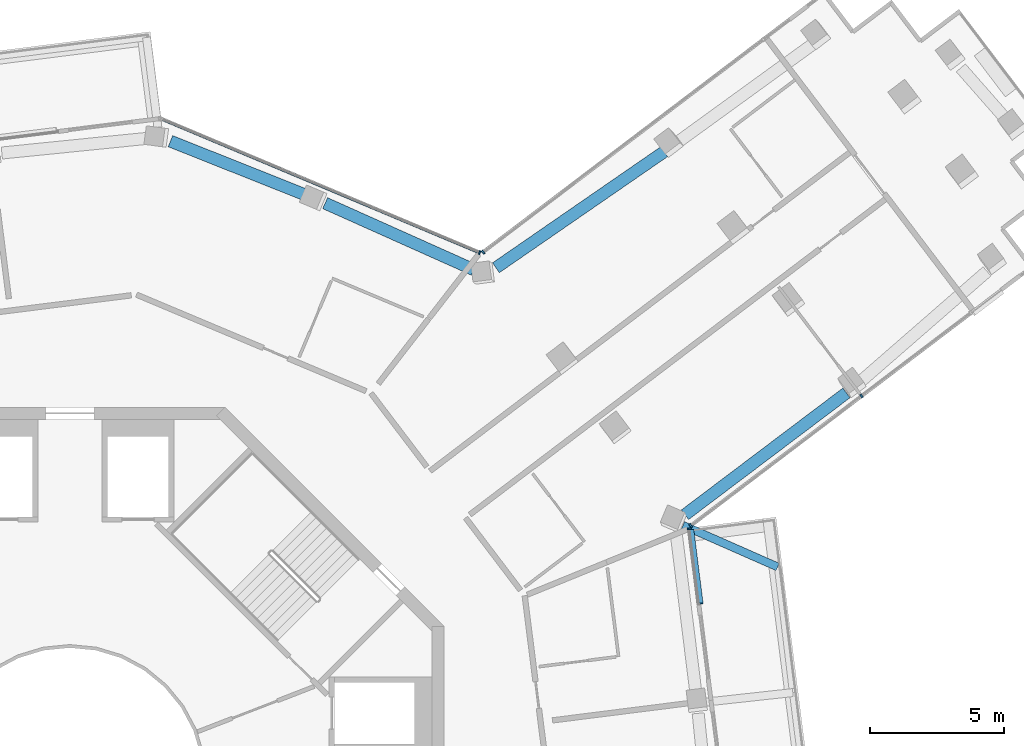
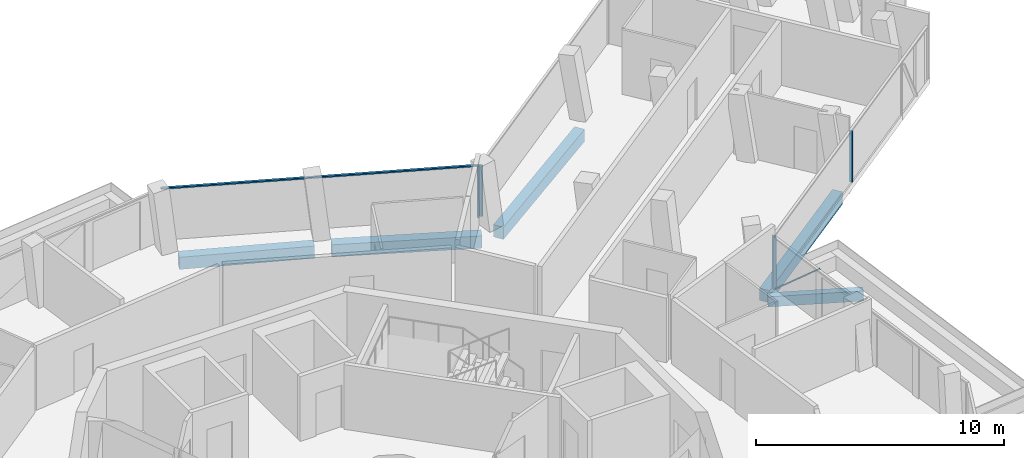
# One storey, part 8 of 26: 7 members, 5 beams, 4 elements without a shape of their own.
"""IFC4 building model written with IfcOpenShell, lengths in metres."""

from ifc_helpers import new_model, si_unit, direction, frame, origin, origin_2d, place, context, subcontext, project, spatial, rectangle, extrude, material, layer, layer_set, material_profile, profile_set, type_object, element, aggregate, save


model = new_model("IFC4")

# Units and contexts
model_context = context("Model", 3, precision=1e-05, world=origin(), true_north=direction((0.0, 1.0)))
body_context = subcontext(model_context, "Body", "Model", "MODEL_VIEW")
ifc_project = project(units=[si_unit("LENGTHUNIT", "METRE"), si_unit("AREAUNIT", "SQUARE_METRE"), si_unit("VOLUMEUNIT", "CUBIC_METRE"), si_unit("PLANEANGLEUNIT", "RADIAN"), si_unit("MASSUNIT", "GRAM", prefix="KILO")], contexts=[model_context])

# Site, building, storey
site_placement = place(None, origin())
site = spatial("IfcSite", under=ifc_project, at=site_placement, CompositionType="ELEMENT")
building_placement = place(site_placement, origin())
building = spatial("IfcBuilding", under=site, at=building_placement, Name="Verdalira Terraces Hotel", CompositionType="ELEMENT")
storey_placement = place(building_placement, frame((0.0, 0.0, 306.5)))
storey = spatial("IfcBuildingStorey", under=building, at=storey_placement, Name="L76", CompositionType="ELEMENT", Elevation=306.5)

# Beam
ifc_material_1 = material(Name="Concrete C40", Category="concrete")
ifc_material_profile_1 = material_profile(ifc_material_1, rectangle(XDim=0.300049, YDim=0.5, at=origin_2d()), Name="RC 300X500")
ifc_profile_set_1 = profile_set([ifc_material_profile_1], Name="Concrete C40")
beam_type_1 = type_object("IfcBeamType", Name="Balcony cantilever beam RC 300X500 C40", PredefinedType="BEAM", material=ifc_profile_set_1)
beam_1_placement = place(storey_placement, frame((22.948242, 9.583008, -0.560059), z_axis=(0.915223844, -0.402945798, 0.0), x_axis=(0.402945798, 0.915223844, 0.0)))
element("IfcBeam", 1, at=beam_1_placement, inside=storey, type_object=beam_type_1, Name="Balcony cantilever beam R27-3", PredefinedType="BEAM", context=body_context, shape_type="SweptSolid", body=[
    extrude(rectangle(XDim=0.300049, YDim=0.5, at=origin_2d()), origin(), (0.0, 0.0, 1.0), 3.869873),
])

# Curtain wall, member
ifc_material_2 = material(Name="Clear glass", Category="glass")
ifc_layer_1 = layer(ifc_material_2, 0.14990234375)
ifc_layer_set_1 = layer_set([ifc_layer_1], Name="CW1 curtain wall")
curtain_wall_type_1 = type_object("IfcCurtainWallType", Name="CW1 curtain wall", PredefinedType="NOTDEFINED", material=ifc_layer_set_1)
curtain_wall_1_placement = place(storey_placement, origin())
curtain_wall_1 = element("IfcCurtainWall", 2, at=curtain_wall_1_placement, inside=storey, type_object=curtain_wall_type_1, Name="CW1 curtain wall L76 edge 27", PredefinedType="NOTDEFINED")
ifc_material_3 = material(Name="Terracotta frame", Category="masonry")
ifc_material_profile_2 = material_profile(ifc_material_3, rectangle(XDim=0.060059, YDim=0.149902, at=origin_2d()), Name="MU 60x150")
ifc_profile_set_2 = profile_set([ifc_material_profile_2], Name="Terracotta frame")
member_type_1 = type_object("IfcMemberType", Name="CW1 mullion 60x150", PredefinedType="MULLION", material=ifc_profile_set_2)
member_1_placement = place(storey_placement, frame((23.181641, 9.449951, 0.0), z_axis=(0.0, 0.0, 1.0), x_axis=(-0.125333234, 0.992114701, 0.0)))
member_1 = element("IfcMember", 3, at=member_1_placement, type_object=member_type_1, Name="CW1 mullion", PredefinedType="MULLION", context=body_context, shape_type="SweptSolid", body=[
    extrude(rectangle(XDim=0.060059, YDim=0.149902, at=origin_2d()), origin(), (0.0, 0.0, 1.0), 2.524902),
])

# Curtain wall, members
curtain_wall_2_placement = place(storey_placement, origin())
curtain_wall_2 = element("IfcCurtainWall", 4, at=curtain_wall_2_placement, inside=storey, type_object=curtain_wall_type_1, Name="CW1 curtain wall L76 edge 39", PredefinedType="NOTDEFINED")
member_2_placement = place(storey_placement, frame((15.335938, 19.786377, 0.0), z_axis=(0.0, 0.0, 1.0), x_axis=(-0.921863152, 0.387515586, 0.0)))
member_2 = element("IfcMember", 5, at=member_2_placement, type_object=member_type_1, Name="CW1 mullion", PredefinedType="MULLION", context=body_context, shape_type="SweptSolid", body=[
    extrude(rectangle(XDim=0.060059, YDim=0.149902, at=origin_2d()), origin(), (0.0, 0.0, 1.0), 2.524902),
])
ifc_material_4 = material(Name="Terracotta frame", Category="masonry")
ifc_material_profile_3 = material_profile(ifc_material_4, rectangle(XDim=0.110107, YDim=0.064941, at=origin_2d()), Name="TR 65x110")
ifc_profile_set_3 = profile_set([ifc_material_profile_3], Name="Terracotta frame")
member_type_2 = type_object("IfcMemberType", Name="CW1 transom 65x110", PredefinedType="USERDEFINED", material=ifc_profile_set_3)
member_3_placement = place(storey_placement, frame((15.363525, 19.774902, 2.557617), z_axis=(-0.921861807, 0.387518784, 0.0), x_axis=(-0.387518784, -0.921861807, 0.0)))
member_3 = element("IfcMember", 6, at=member_3_placement, type_object=member_type_2, Name="CW1 transom", ObjectType="TRANSOM", PredefinedType="USERDEFINED", context=body_context, shape_type="SweptSolid", body=[
    extrude(rectangle(XDim=0.110107, YDim=0.064941, at=origin_2d()), origin(), (0.0, 0.0, 1.0), 12.959961),
])
aggregate(curtain_wall_2, [member_2, member_3])

ifc_material_5 = material(Name="Clear glass", Category="glass")
ifc_layer_2 = layer(ifc_material_5, 0.14990234375)
ifc_layer_set_2 = layer_set([ifc_layer_2], Name="CW2 curtain wall")
curtain_wall_type_2 = type_object("IfcCurtainWallType", Name="CW2 curtain wall", PredefinedType="NOTDEFINED", material=ifc_layer_set_2)
curtain_wall_3_placement = place(storey_placement, origin())
curtain_wall_3 = element("IfcCurtainWall", 7, at=curtain_wall_3_placement, inside=storey, type_object=curtain_wall_type_2, Name="CW2 curtain wall L76 edge 28", PredefinedType="NOTDEFINED")
ifc_material_6 = material(Name="Terracotta frame", Category="masonry")
ifc_material_profile_4 = material_profile(ifc_material_6, rectangle(XDim=0.070068, YDim=0.149902, at=origin_2d()), Name="MU 70x150")
ifc_profile_set_4 = profile_set([ifc_material_profile_4], Name="Terracotta frame")
member_type_3 = type_object("IfcMemberType", Name="CW2 mullion 70x150", PredefinedType="MULLION", material=ifc_profile_set_4)
member_4_placement = place(storey_placement, frame((23.234863, 9.570068, 0.0), z_axis=(0.0, 0.0, 1.0), x_axis=(0.796529918, 0.604599115, 0.0)))
member_4 = element("IfcMember", 8, at=member_4_placement, type_object=member_type_3, Name="CW2 mullion", PredefinedType="MULLION", context=body_context, shape_type="SweptSolid", body=[
    extrude(rectangle(XDim=0.070068, YDim=0.149902, at=origin_2d()), origin(), (0.0, 0.0, 1.0), 2.524902),
])
member_5_placement = place(storey_placement, frame((29.625977, 14.421143, 0.0), z_axis=(0.0, 0.0, 1.0), x_axis=(0.796529918, 0.604599115, 0.0)))
member_5 = element("IfcMember", 9, at=member_5_placement, type_object=member_type_3, Name="CW2 mullion", PredefinedType="MULLION", context=body_context, shape_type="SweptSolid", body=[
    extrude(rectangle(XDim=0.070068, YDim=0.149902, at=origin_2d()), origin(), (0.0, 0.0, 1.0), 2.524902),
])
aggregate(curtain_wall_3, [member_4, member_5])

# Curtain wall, member
curtain_wall_4_placement = place(storey_placement, origin())
curtain_wall_4 = element("IfcCurtainWall", 10, at=curtain_wall_4_placement, inside=storey, type_object=curtain_wall_type_2, Name="CW2 curtain wall L76 edge 38", PredefinedType="NOTDEFINED")
member_6_placement = place(storey_placement, frame((15.46582, 19.80542, 0.0), z_axis=(0.0, 0.0, 1.0), x_axis=(-0.796529918, -0.604599115, 0.0)))
member_6 = element("IfcMember", 11, at=member_6_placement, type_object=member_type_3, Name="CW2 mullion", PredefinedType="MULLION", context=body_context, shape_type="SweptSolid", body=[
    extrude(rectangle(XDim=0.070068, YDim=0.149902, at=origin_2d()), origin(), (0.0, 0.0, 1.0), 2.524902),
])
aggregate(curtain_wall_4, [member_6])

# Member
ifc_material_7 = material(Name="Terracotta frame", Category="masonry")
ifc_material_profile_5 = material_profile(ifc_material_7, rectangle(XDim=0.149902, YDim=0.060059, at=origin_2d()), Name="GB 60x150")
ifc_profile_set_5 = profile_set([ifc_material_profile_5], Name="Terracotta frame")
member_type_4 = type_object("IfcMemberType", Name="Diagonal glazing bar 60x150", PredefinedType="USERDEFINED", material=ifc_profile_set_5)
member_7_placement = place(storey_placement, frame((23.625, 6.651367, 2.501221), z_axis=(-0.093509821, 0.740138439, -0.66592117), x_axis=(-0.992113269, -0.12534457, 0.0)))
member_7 = element("IfcMember", 12, at=member_7_placement, type_object=member_type_4, Name="Diagonal glazing bar", ObjectType="GLAZING BAR", PredefinedType="USERDEFINED", context=body_context, shape_type="SweptSolid", body=[
    extrude(rectangle(XDim=0.149902, YDim=0.060059, at=origin_2d()), origin(), (0.0, 0.0, 1.0), 3.720459),
])

aggregate(curtain_wall_1, [member_1, member_7])

# Beams
ifc_material_8 = material(Name="Concrete C40", Category="concrete")
ifc_material_profile_6 = material_profile(ifc_material_8, rectangle(XDim=0.449951, YDim=0.600098, at=origin_2d()), Name="RC 450X600")
ifc_profile_set_6 = profile_set([ifc_material_profile_6], Name="Concrete C40")
beam_type_2 = type_object("IfcBeamType", Name="Spandrel beam RC 450X600 C40", PredefinedType="SPANDREL", material=ifc_profile_set_6)
beam_2_placement = place(storey_placement, frame((23.021729, 9.978271, -0.610107), z_axis=(0.798305039, 0.602253323, 0.0), x_axis=(-0.602253323, 0.798305039, 0.0)))
element("IfcBeam", 13, at=beam_2_placement, inside=storey, type_object=beam_type_2, Name="Spandrel beam B19", PredefinedType="SPANDREL", context=body_context, shape_type="SweptSolid", body=[
    extrude(rectangle(XDim=0.449951, YDim=0.600098, at=origin_2d()), origin(), (0.0, 0.0, 1.0), 7.567627),
])
beam_3_placement = place(storey_placement, frame((22.244385, 23.565918, -0.610107), z_axis=(-0.823115605, -0.567873842, 0.0), x_axis=(0.567873842, -0.823115605, 0.0)))
element("IfcBeam", 14, at=beam_3_placement, inside=storey, type_object=beam_type_2, Name="Spandrel beam B23", PredefinedType="SPANDREL", context=body_context, shape_type="SweptSolid", body=[
    extrude(rectangle(XDim=0.449951, YDim=0.600098, at=origin_2d()), origin(), (0.0, 0.0, 1.0), 7.653076),
])
beam_4_placement = place(storey_placement, frame((15.117676, 19.14624, -0.610107), z_axis=(-0.912652029, 0.408737415, 0.0), x_axis=(-0.408737415, -0.912652029, 0.0)))
element("IfcBeam", 15, at=beam_4_placement, inside=storey, type_object=beam_type_2, Name="Spandrel beam B24", PredefinedType="SPANDREL", context=body_context, shape_type="SweptSolid", body=[
    extrude(rectangle(XDim=0.449951, YDim=0.600098, at=origin_2d()), origin(), (0.0, 0.0, 1.0), 6.097168),
])
beam_5_placement = place(storey_placement, frame((8.894775, 21.916504, -0.610107), z_axis=(-0.929170334, 0.369651851, 0.0), x_axis=(-0.369651851, -0.929170334, 0.0)))
element("IfcBeam", 16, at=beam_5_placement, inside=storey, type_object=beam_type_2, Name="Spandrel beam B25", PredefinedType="SPANDREL", context=body_context, shape_type="SweptSolid", body=[
    extrude(rectangle(XDim=0.449951, YDim=0.600098, at=origin_2d()), origin(), (0.0, 0.0, 1.0), 5.521484),
])

save(model, "model.ifc")
